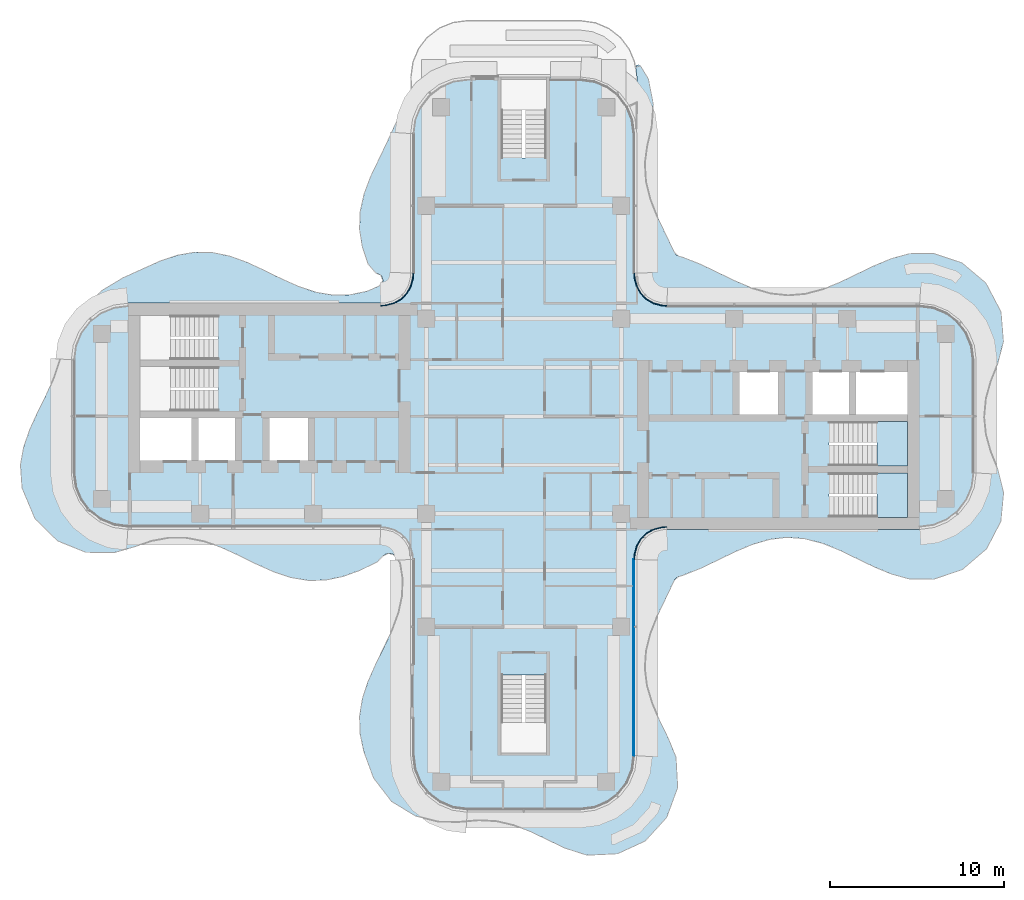
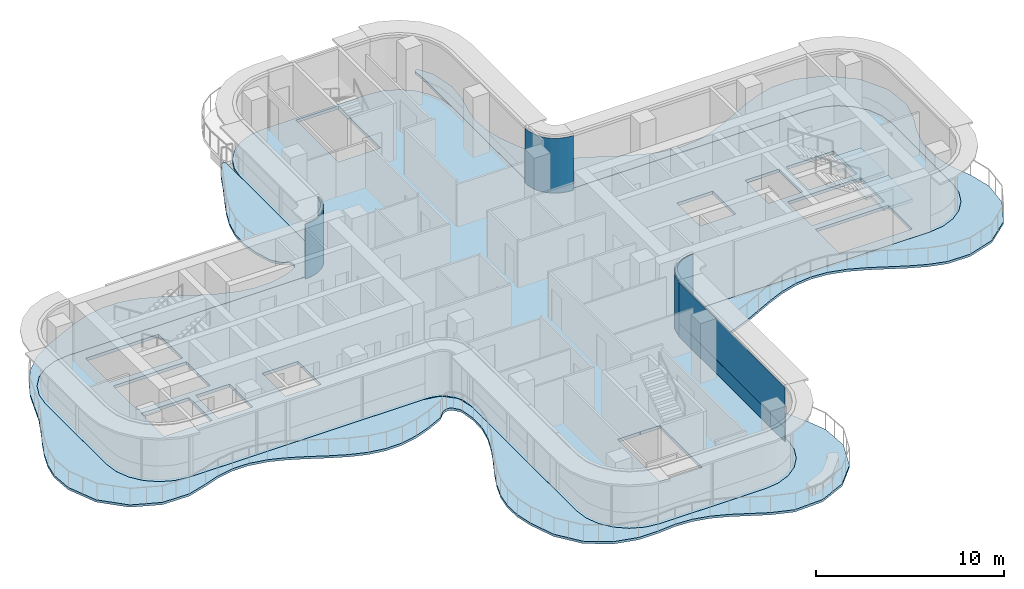
# One storey, part 9 of 16: 5 plates, 4 slabs, 6 elements without a shape of their own.
"""IFC4 building model written with IfcOpenShell, lengths in metres."""

from ifc_helpers import new_model, si_unit, direction, frame, origin, place, context, subcontext, project, spatial, polyline, outline, extrude, source, transform, mapped, material, layer, layer_set, type_object, element, aggregate, save


model = new_model("IFC4")

# Units and contexts
model_context = context("Model", 3, precision=1e-05, world=origin(), true_north=direction((0.0, 1.0)))
body_context = subcontext(model_context, "Body", "Model", "MODEL_VIEW")
ifc_project = project(units=[si_unit("LENGTHUNIT", "METRE"), si_unit("AREAUNIT", "SQUARE_METRE"), si_unit("VOLUMEUNIT", "CUBIC_METRE"), si_unit("PLANEANGLEUNIT", "RADIAN"), si_unit("MASSUNIT", "GRAM", prefix="KILO")], contexts=[model_context])

# Site, building, storey
site_placement = place(None, origin())
site = spatial("IfcSite", under=ifc_project, at=site_placement, CompositionType="ELEMENT")
building_placement = place(site_placement, origin())
building = spatial("IfcBuilding", under=site, at=building_placement, Name="Trellis Farm Tower", CompositionType="ELEMENT")
storey_placement = place(building_placement, frame((0.0, 0.0, 302.800048828125)))
storey = spatial("IfcBuildingStorey", under=building, at=storey_placement, Name="L68", CompositionType="ELEMENT", Elevation=302.800048828125)

# Slabs
ifc_material_1 = material(Name="Concrete C40/50", Category="concrete")
ifc_layer_1 = layer(ifc_material_1, 0.14990234375)
ifc_layer_set_1 = layer_set([ifc_layer_1], Name="Balcony slab 150")
slab_type_1 = type_object("IfcSlabType", Name="Balcony slab 150", PredefinedType="FLOOR", material=ifc_layer_set_1)
slab_1_placement = place(storey_placement, frame((0.0, 0.0, -0.150146484375)))
element("IfcSlab", 1, at=slab_1_placement, inside=storey, type_object=slab_type_1, Name="Balcony slab", PredefinedType="FLOOR", context=body_context, shape_type="SweptSolid", body=[
    extrude(outline(polyline([(-20.40869140625, -6.977294921875), (-21.38525390625, -7.158203125), (-21.395751953125, -7.1611328125), (-22.3623046875, -7.492919921875), (-22.368896484375, -7.494873046875), (-23.530517578125, -7.8330078125), (-23.57470703125, -7.839111328125), (-25.14111328125, -7.814208984375), (-25.1689453125, -7.81103515625), (-25.20361328125, -7.803955078125), (-25.229736328125, -7.7958984375), (-26.764404296875, -7.17138671875), (-26.790771484375, -7.1572265625), (-26.822998046875, -7.135986328125), (-26.845947265625, -7.1171875), (-28.08935546875, -5.8759765625), (-28.108154296875, -5.85302734375), (-28.129150390625, -5.82177734375), (-28.143310546875, -5.795166015625), (-28.828369140625, -4.11962890625), (-28.839111328125, -4.07275390625), (-28.923095703125, -2.79248046875), (-28.9208984375, -2.755615234375), (-28.741455078125, -1.77978515625), (-28.735595703125, -1.7578125), (-28.3876953125, -0.7587890625), (-28.38232421875, -0.74609375), (-27.93408203125, 0.23681640625), (-27.93212890625, 0.240966796875), (-27.44189453125, 1.23681640625), (-27.44091796875, 1.239013671875), (-27.001953125, 2.20849609375), (-26.9990234375, 2.2158203125), (-26.296142578125, 4.329345703125), (-26.288330078125, 4.348388671875), (-25.78125, 5.376708984375), (-25.7705078125, 5.395263671875), (-25.1240234375, 6.339111328125), (-25.106689453125, 6.35986328125), (-24.267578125, 7.20703125), (-24.238525390625, 7.22998046875), (-23.040771484375, 7.953857421875), (-23.02490234375, 7.962158203125), (-20.89111328125, 8.92529296875), (-20.877197265625, 8.9306640625), (-19.919677734375, 9.25341796875), (-19.897705078125, 9.259033203125), (-18.930419921875, 9.428466796875), (-18.902099609375, 9.4306640625), (-17.902099609375, 9.4130859375), (-17.874267578125, 9.409912109375), (-16.90625, 9.209228515625), (-16.8857421875, 9.203369140625), (-15.91064453125, 8.849853515625), (-15.89892578125, 8.844970703125), (-14.9150390625, 8.389892578125), (-14.911865234375, 8.38818359375), (-13.914306640625, 7.89794921875), (-13.911865234375, 7.896728515625), (-12.9423828125, 7.46484375), (-12.935302734375, 7.462158203125), (-11.905517578125, 7.124267578125), (-11.894287109375, 7.12158203125), (-10.970458984375, 6.969482421875), (-10.956787109375, 6.968505859375), (-9.9736328125, 6.98828125), (-9.9599609375, 6.98974609375), (-8.98388671875, 7.1923828125), (-8.96875, 7.197265625), (-8.305908203125, 7.4921875), (-8.2890625, 7.502685546875), (-8.1748046875, 7.595947265625), (-8.15283203125, 7.626220703125), (-8.101318359375, 7.7568359375), (-8.096435546875, 7.78955078125), (-8.1083984375, 7.945556640625), (-8.1201171875, 7.980224609375), (-8.188720703125, 8.0849609375), (-8.21337890625, 8.1083984375), (-8.33056640625, 8.17626953125), (-8.346435546875, 8.18310546875), (-8.46044921875, 8.217529296875), (-8.5009765625, 8.23681640625), (-8.547119140625, 8.267578125), (-8.580078125, 8.2978515625), (-8.932861328125, 8.734619140625), (-8.947998046875, 8.75732421875), (-8.965087890625, 8.788818359375), (-8.975830078125, 8.81396484375), (-9.276611328125, 9.741943359375), (-9.281982421875, 9.764892578125), (-9.435302734375, 10.731689453125), (-9.43701171875, 10.760498046875), (-9.402099609375, 11.760498046875), (-9.3984375, 11.787841796875), (-9.18212890625, 12.756103515625), (-9.17626953125, 12.77587890625), (-8.81103515625, 13.751708984375), (-8.806396484375, 13.7626953125), (-8.345458984375, 14.747314453125), (-8.34423828125, 14.749755859375), (-7.85498046875, 15.746826171875), (-7.854248046875, 15.748779296875), (-7.356689453125, 16.838134765625), (-7.3486328125, 16.853515625), (-6.7783203125, 17.794677734375), (-6.674072265625, 17.864990234375), (-6.552734375, 17.8310546875), (-6.5, 17.716796875), (-6.5, 16.254638671875), (-6.50048828125, 16.25), (-6.50048828125, 8.7666015625), (-6.56005859375, 7.838134765625), (-6.56640625, 7.80419921875), (-6.5791015625, 7.76171875), (-6.593017578125, 7.72998046875), (-7.0166015625, 7.00244140625), (-7.045166015625, 6.967041015625), (-7.0869140625, 6.928955078125), (-7.124755859375, 6.90380859375), (-7.896484375, 6.545654296875), (-7.92578125, 6.53564453125), (-7.96435546875, 6.526611328125), (-7.994873046875, 6.522705078125), (-8.91552734375, 6.50048828125), (-22.75, 6.50048828125), (-23.59130859375, 6.389892578125), (-24.375244140625, 6.065185546875), (-25.048583984375, 5.548583984375), (-25.565185546875, 4.875244140625), (-25.889892578125, 4.09130859375), (-26.00048828125, 3.25), (-26.00048828125, -3.25), (-25.889892578125, -4.09130859375), (-25.565185546875, -4.875244140625), (-25.048583984375, -5.548583984375), (-24.375244140625, -6.065185546875), (-23.59130859375, -6.389892578125), (-22.75, -6.50048828125), (-8.43701171875, -6.50048828125), (-8.41796875, -6.502197265625), (-7.5166015625, -6.66064453125), (-7.47509765625, -6.67431640625), (-7.42724609375, -6.698486328125), (-7.391845703125, -6.72314453125), (-6.78564453125, -7.29248046875), (-6.7587890625, -7.326416015625), (-6.731689453125, -7.37255859375), (-6.71533203125, -7.413330078125), (-6.504150390625, -8.30078125), (-6.50048828125, -8.33056640625), (-6.50048828125, -19.5), (-6.389892578125, -20.34130859375), (-6.065185546875, -21.125244140625), (-5.548583984375, -21.798583984375), (-4.875244140625, -22.315185546875), (-4.09130859375, -22.639892578125), (-3.25, -22.75048828125), (3.25, -22.75048828125), (4.09130859375, -22.639892578125), (4.875244140625, -22.315185546875), (5.548583984375, -21.798583984375), (6.065185546875, -21.125244140625), (6.389892578125, -20.34130859375), (6.50048828125, -19.5), (6.50048828125, -14.7783203125), (6.50146484375, -8.531982421875), (6.502685546875, -8.51318359375), (6.6162109375, -7.62060546875), (6.627197265625, -7.580810546875), (6.6474609375, -7.532958984375), (6.6689453125, -7.49755859375), (7.19287109375, -6.849853515625), (7.2255859375, -6.81982421875), (7.270751953125, -6.789306640625), (7.31201171875, -6.769775390625), (8.18359375, -6.509521484375), (8.2265625, -6.50341796875), (19.6259765625, -6.50048828125), (22.75, -6.50048828125), (23.59130859375, -6.389892578125), (24.375244140625, -6.065185546875), (25.048583984375, -5.548583984375), (25.565185546875, -4.875244140625), (25.889892578125, -4.09130859375), (26.00048828125, -3.25), (26.00048828125, 3.25), (25.889892578125, 4.09130859375), (25.565185546875, 4.875244140625), (25.048583984375, 5.548583984375), (24.375244140625, 6.065185546875), (23.59130859375, 6.389892578125), (22.75, 6.50048828125), (19.626220703125, 6.50048828125), (8.2265625, 6.50341796875), (8.18359375, 6.509521484375), (7.31201171875, 6.769775390625), (7.270751953125, 6.789306640625), (7.2255859375, 6.81982421875), (7.19287109375, 6.849853515625), (6.6689453125, 7.49755859375), (6.6474609375, 7.532958984375), (6.627197265625, 7.580810546875), (6.6162109375, 7.62060546875), (6.502685546875, 8.51318359375), (6.50146484375, 8.531982421875), (6.50048828125, 12.0361328125), (6.50048828125, 16.25), (6.5, 16.254638671875), (6.5, 19.4951171875), (6.49951171875, 19.5048828125), (6.428466796875, 20.043212890625), (6.47021484375, 20.167724609375), (6.59375, 20.2119140625), (6.704833984375, 20.1416015625), (7.135986328125, 19.4443359375), (7.14794921875, 19.42041015625), (7.16064453125, 19.388671875), (7.168212890625, 19.3623046875), (7.44384765625, 17.960205078125), (7.4462890625, 17.919921875), (7.348388671875, 16.633056640625), (7.344970703125, 16.60986328125), (7.0888671875, 15.5283203125), (7.08740234375, 15.520751953125), (6.95849609375, 14.55126953125), (6.9580078125, 14.536865234375), (7.021728515625, 13.490966796875), (7.023681640625, 13.477294921875), (7.265869140625, 12.50146484375), (7.268798828125, 12.4921875), (7.64208984375, 11.536376953125), (7.644287109375, 11.53125), (8.6533203125, 9.421142578125), (8.659912109375, 9.409912109375), (8.73486328125, 9.305419921875), (8.758544921875, 9.28369140625), (8.869384765625, 9.221435546875), (8.884033203125, 9.215087890625), (9.17578125, 9.12548828125), (9.18701171875, 9.12158203125), (10.17138671875, 8.731689453125), (10.181396484375, 8.727294921875), (12.153076171875, 7.7763671875), (12.156494140625, 7.77490234375), (13.13671875, 7.3623046875), (13.14501953125, 7.359130859375), (14.178955078125, 7.062744140625), (14.19140625, 7.060302734375), (15.178466796875, 6.9541015625), (15.19287109375, 6.9541015625), (16.17138671875, 7.036865234375), (16.18408203125, 7.0390625), (17.160400390625, 7.2958984375), (17.169189453125, 7.298828125), (18.1484375, 7.692138671875), (18.153076171875, 7.6943359375), (20.12451171875, 8.645751953125), (20.132080078125, 8.649169921875), (21.13037109375, 9.06298828125), (21.147705078125, 9.069091796875), (22.128662109375, 9.34033203125), (22.166259765625, 9.345703125), (23.506103515625, 9.36669921875), (23.554931640625, 9.359130859375), (25.119873046875, 8.85009765625), (25.146484375, 8.83837890625), (25.17919921875, 8.8203125), (25.202880859375, 8.8037109375), (26.55029296875, 7.665771484375), (26.57080078125, 7.64501953125), (26.59423828125, 7.615478515625), (26.610107421875, 7.5908203125), (27.402587890625, 6.069091796875), (27.413330078125, 6.0419921875), (27.423828125, 6.006103515625), (27.429443359375, 5.9765625), (27.5673828125, 4.334716796875), (27.56298828125, 4.2841796875), (27.23486328125, 3.01953125), (27.228515625, 3.0009765625), (26.82958984375, 2.015380859375), (26.82666015625, 2.00732421875), (26.555908203125, 1.031494140625), (26.5537109375, 1.018798828125), (26.4541015625, -0.0263671875), (26.4541015625, -0.041015625), (26.5537109375, -1.018798828125), (26.555908203125, -1.031494140625), (26.82666015625, -2.00732421875), (26.82958984375, -2.015380859375), (27.228515625, -3.00048828125), (27.23486328125, -3.02001953125), (27.568115234375, -4.343505859375), (27.572021484375, -4.393798828125), (27.429443359375, -5.97705078125), (27.424072265625, -6.005615234375), (27.413330078125, -6.0419921875), (27.402587890625, -6.069091796875), (26.610107421875, -7.5908203125), (26.59423828125, -7.615478515625), (26.57080078125, -7.64501953125), (26.55029296875, -7.665771484375), (25.202880859375, -8.8037109375), (25.17919921875, -8.8203125), (25.146484375, -8.83837890625), (25.119873046875, -8.85009765625), (23.554931640625, -9.359130859375), (23.506103515625, -9.36669921875), (22.16650390625, -9.345703125), (22.128662109375, -9.34033203125), (21.128173828125, -9.062255859375), (21.110595703125, -9.056396484375), (20.132080078125, -8.649169921875), (20.12451171875, -8.645751953125), (18.153076171875, -7.6943359375), (18.1484375, -7.692138671875), (17.16943359375, -7.298828125), (17.16015625, -7.2958984375), (16.123779296875, -7.029052734375), (16.110595703125, -7.02685546875), (15.12548828125, -6.955078125), (15.111083984375, -6.95556640625), (14.133544921875, -7.07177734375), (14.121337890625, -7.07421875), (13.14501953125, -7.359130859375), (13.136962890625, -7.362060546875), (12.156494140625, -7.77490234375), (12.153076171875, -7.7763671875), (10.181396484375, -8.727294921875), (10.17138671875, -8.731689453125), (9.18701171875, -9.12158203125), (9.17578125, -9.12548828125), (8.884033203125, -9.215087890625), (8.869384765625, -9.221435546875), (8.758544921875, -9.28369140625), (8.73486328125, -9.305419921875), (8.659912109375, -9.409912109375), (8.6533203125, -9.421142578125), (7.654296875, -11.50830078125), (7.652099609375, -11.51318359375), (7.268798828125, -12.4921875), (7.265869140625, -12.50146484375), (7.023681640625, -13.4775390625), (7.021728515625, -13.490478515625), (6.955810546875, -14.4697265625), (6.956298828125, -14.484130859375), (7.0791015625, -15.471923828125), (7.081787109375, -15.484130859375), (7.379150390625, -16.480224609375), (7.382080078125, -16.48828125), (7.8095703125, -17.489501953125), (7.811279296875, -17.492919921875), (8.30078125, -18.49609375), (8.304931640625, -18.505126953125), (8.747314453125, -19.585205078125), (8.758056640625, -19.633544921875), (8.85205078125, -21.260986328125), (8.8505859375, -21.292236328125), (8.8447265625, -21.33056640625), (8.837158203125, -21.360107421875), (8.21142578125, -23.05419921875), (8.198486328125, -23.08056640625), (8.1787109375, -23.113037109375), (8.1611328125, -23.136474609375), (7.029541015625, -24.36279296875), (7.007568359375, -24.38232421875), (6.9765625, -24.40478515625), (6.951171875, -24.419921875), (5.416748046875, -25.125), (5.389404296875, -25.134521484375), (5.352783203125, -25.143310546875), (5.323974609375, -25.1474609375), (3.640380859375, -25.218994140625), (3.61328125, -25.2177734375), (3.578369140625, -25.212890625), (3.551513671875, -25.20654296875), (2.370361328125, -24.812744140625), (2.35302734375, -24.8056640625), (0.3701171875, -23.854248046875), (0.364013671875, -23.851806640625), (-0.589111328125, -23.489990234375), (-0.598876953125, -23.487060546875), (-1.574951171875, -23.260009765625), (-1.588134765625, -23.258056640625), (-2.580322265625, -23.20849609375), (-2.59033203125, -23.208740234375), (-3.68212890625, -23.302490234375), (-3.69580078125, -23.302978515625), (-4.868896484375, -23.297607421875), (-4.904052734375, -23.293212890625), (-6.21484375, -22.969482421875), (-6.257080078125, -22.951904296875), (-7.572021484375, -22.147216796875), (-7.594482421875, -22.130126953125), (-7.62060546875, -22.1064453125), (-7.63916015625, -22.086181640625), (-8.628662109375, -20.78662109375), (-8.650390625, -20.7470703125), (-9.182861328125, -19.285400390625), (-9.188720703125, -19.26513671875), (-9.402587890625, -18.25634765625), (-9.406005859375, -18.22998046875), (-9.43701171875, -17.26025390625), (-9.435302734375, -17.23193359375), (-9.281982421875, -16.264892578125), (-9.276611328125, -16.241943359375), (-8.966796875, -15.285888671875), (-8.96142578125, -15.271728515625), (-8.5244140625, -14.2802734375), (-8.521728515625, -14.2744140625), (-8.0341796875, -13.281982421875), (-8.033447265625, -13.280517578125), (-7.575927734375, -12.2978515625), (-7.573486328125, -12.2919921875), (-7.19873046875, -11.26611328125), (-7.19580078125, -11.256103515625), (-6.997314453125, -10.327392578125), (-6.995849609375, -10.314208984375), (-6.964111328125, -9.334228515625), (-6.96484375, -9.31982421875), (-7.108642578125, -8.422607421875), (-7.114990234375, -8.40234375), (-7.18701171875, -8.24951171875), (-7.1982421875, -8.232421875), (-7.410888671875, -7.98779296875), (-7.42724609375, -7.973876953125), (-7.568359375, -7.884521484375), (-7.608642578125, -7.872802734375), (-7.775634765625, -7.875244140625), (-7.797119140625, -7.878662109375), (-7.92578125, -7.9189453125), (-7.943115234375, -7.9267578125), (-8.07666015625, -8.010009765625), (-8.09130859375, -8.022216796875), (-8.407470703125, -8.356201171875), (-8.42822265625, -8.37451171875), (-8.457275390625, -8.3955078125), (-8.481201171875, -8.40966796875), (-9.412841796875, -8.8505859375), (-9.426025390625, -8.85595703125), (-10.3857421875, -9.203369140625), (-10.40625, -9.208984375), (-11.37451171875, -9.409912109375), (-11.40185546875, -9.4130859375), (-12.369384765625, -9.43310546875), (-12.3974609375, -9.430908203125), (-13.371337890625, -9.265625), (-13.393798828125, -9.260009765625), (-14.377197265625, -8.9306640625), (-14.39111328125, -8.92529296875), (-15.38330078125, -8.48046875), (-15.38818359375, -8.478271484375), (-16.379638671875, -7.990478515625), (-16.38134765625, -7.989501953125), (-17.36376953125, -7.5380859375), (-17.369873046875, -7.53564453125), (-18.347412109375, -7.186279296875), (-18.3583984375, -7.183349609375), (-19.398681640625, -6.97998046875), (-19.4130859375, -6.978515625), (-20.394775390625, -6.97607421875), (-20.40869140625, -6.977294921875)])), origin(), (0.0, 0.0, 1.0), 0.150146484375),
])
ifc_layer_2 = layer(ifc_material_1, 0.199951171875)
ifc_layer_set_2 = layer_set([ifc_layer_2], Name="Composite deck floor slab 200")
slab_type_2 = type_object("IfcSlabType", Name="Composite deck floor slab 200", PredefinedType="FLOOR", material=ifc_layer_set_2)
shared_shape_1 = source(origin(), body_context, "Body", "SweptSolid", [
    extrude(outline(polyline([(-23.59130859375, -6.389404296875), (-24.375, -6.064697265625), (-25.048095703125, -5.548095703125), (-25.564697265625, -4.875), (-25.889404296875, -4.09130859375), (-26.0, -3.25), (-26.0, 3.25), (-25.889404296875, 4.09130859375), (-25.564697265625, 4.875), (-25.048095703125, 5.548095703125), (-24.375, 6.064697265625), (-23.59130859375, 6.389404296875), (-22.75, 6.5), (-8.2314453125, 6.5), (-8.01953125, 6.513916015625), (-7.91552734375, 6.527587890625), (-7.508544921875, 6.63671875), (-7.144287109375, 6.846923828125), (-6.846923828125, 7.144287109375), (-6.63671875, 7.508544921875), (-6.527587890625, 7.91552734375), (-6.513916015625, 8.01953125), (-6.5, 8.2314453125), (-6.5, 16.25), (-6.389404296875, 17.09130859375), (-6.064697265625, 17.875), (-5.548095703125, 18.548095703125), (-4.875, 19.064697265625), (-4.09130859375, 19.389404296875), (-3.25, 19.5), (3.25, 19.5), (4.09130859375, 19.389404296875), (4.875, 19.064697265625), (5.548095703125, 18.548095703125), (6.064697265625, 17.875), (6.389404296875, 17.09130859375), (6.5, 16.25), (6.5, 8.2314453125), (6.513916015625, 8.01953125), (6.527587890625, 7.91552734375), (6.63671875, 7.508544921875), (6.846923828125, 7.144287109375), (7.144287109375, 6.846923828125), (7.508544921875, 6.63671875), (7.91552734375, 6.527587890625), (8.01953125, 6.513916015625), (8.2314453125, 6.5), (22.75, 6.5), (23.59130859375, 6.389404296875), (24.375, 6.064697265625), (25.048095703125, 5.548095703125), (25.564697265625, 4.875), (25.889404296875, 4.09130859375), (26.0, 3.25), (26.0, -3.25), (25.889404296875, -4.09130859375), (25.564697265625, -4.875), (25.048095703125, -5.548095703125), (24.375, -6.064697265625), (23.59130859375, -6.389404296875), (22.75, -6.5), (8.2314453125, -6.5), (8.01953125, -6.513916015625), (7.91552734375, -6.527587890625), (7.508544921875, -6.63671875), (7.144287109375, -6.846923828125), (6.846923828125, -7.144287109375), (6.63671875, -7.508544921875), (6.527587890625, -7.91552734375), (6.513916015625, -8.01953125), (6.5, -8.2314453125), (6.5, -19.5), (6.389404296875, -20.34130859375), (6.064697265625, -21.125), (5.548095703125, -21.798095703125), (4.875, -22.314697265625), (4.09130859375, -22.639404296875), (3.25, -22.75), (-3.25, -22.75), (-4.09130859375, -22.639404296875), (-4.875, -22.314697265625), (-5.548095703125, -21.798095703125), (-6.064697265625, -21.125), (-6.389404296875, -20.34130859375), (-6.5, -19.5), (-6.5, -8.2314453125), (-6.513916015625, -8.01953125), (-6.527587890625, -7.91552734375), (-6.63671875, -7.508544921875), (-6.846923828125, -7.144287109375), (-7.144287109375, -6.846923828125), (-7.508544921875, -6.63671875), (-7.91552734375, -6.527587890625), (-8.01953125, -6.513916015625), (-8.2314453125, -6.5), (-22.75, -6.5), (-23.59130859375, -6.389404296875)]), holes=[polyline([(-22.050048828125, -2.550048828125), (-19.10009765625, -2.550048828125), (-19.10009765625, -0.10009765625), (-22.050048828125, -0.10009765625), (-22.050048828125, -2.550048828125)]), polyline([(-18.699951171875, -0.10009765625), (-18.699951171875, -2.550048828125), (-16.60009765625, -2.550048828125), (-16.60009765625, -0.10009765625), (-18.699951171875, -0.10009765625)]), polyline([(-14.60009765625, -0.10009765625), (-14.60009765625, -2.550048828125), (-12.39990234375, -2.550048828125), (-12.39990234375, -0.10009765625), (-14.60009765625, -0.10009765625)]), polyline([(-17.56201171875, 2.85009765625), (-22.050048828125, 2.85009765625), (-22.050048828125, 0.300048828125), (-17.56005859375, 0.300048828125), (-17.56005859375, 1.5), (-17.550048828125, 1.5), (-17.550048828125, 1.64990234375), (-17.56201171875, 1.64990234375), (-17.56201171875, 2.85009765625)]), polyline([(-17.56201171875, 4.60009765625), (-17.56201171875, 5.800048828125), (-22.050048828125, 5.800048828125), (-22.050048828125, 3.25), (-17.56005859375, 3.25), (-17.56005859375, 4.449951171875), (-17.550048828125, 4.449951171875), (-17.550048828125, 4.60009765625), (-17.56201171875, 4.60009765625)]), polyline([(0.10009765625, 14.862060546875), (1.300048828125, 14.862060546875), (1.300048828125, 19.35009765625), (-1.300048828125, 19.35009765625), (-1.300048828125, 14.860107421875), (-0.10009765625, 14.860107421875), (-0.10009765625, 14.85009765625), (0.10009765625, 14.85009765625), (0.10009765625, 14.862060546875)]), polyline([(-1.300048828125, -14.862060546875), (-1.300048828125, -19.35009765625), (1.300048828125, -19.35009765625), (1.300048828125, -14.860107421875), (0.10009765625, -14.860107421875), (0.10009765625, -14.85009765625), (-0.10009765625, -14.85009765625), (-0.10009765625, -14.862060546875), (-1.300048828125, -14.862060546875)]), polyline([(17.56201171875, -4.60009765625), (17.56201171875, -5.800048828125), (22.050048828125, -5.800048828125), (22.050048828125, -3.25), (17.56005859375, -3.25), (17.56005859375, -4.449951171875), (17.550048828125, -4.449951171875), (17.550048828125, -4.60009765625), (17.56201171875, -4.60009765625)]), polyline([(17.56201171875, -1.64990234375), (17.56201171875, -2.85009765625), (22.050048828125, -2.85009765625), (22.050048828125, -0.300048828125), (17.56005859375, -0.300048828125), (17.56005859375, -1.5), (17.550048828125, -1.5), (17.550048828125, -1.64990234375), (17.56201171875, -1.64990234375)]), polyline([(14.60009765625, 2.550048828125), (12.39990234375, 2.550048828125), (12.39990234375, 0.10009765625), (14.60009765625, 0.10009765625), (14.60009765625, 2.550048828125)]), polyline([(18.699951171875, 0.10009765625), (18.699951171875, 2.550048828125), (16.60009765625, 2.550048828125), (16.60009765625, 0.10009765625), (18.699951171875, 0.10009765625)]), polyline([(22.050048828125, 0.10009765625), (22.050048828125, 2.550048828125), (19.10009765625, 2.550048828125), (19.10009765625, 0.10009765625), (22.050048828125, 0.10009765625)])]), origin(), (0.0, 0.0, 1.0), 0.199951171875),
])
slab_2_placement = place(storey_placement, frame((0.0, 0.0, -0.199951171875)))
element("IfcSlab", 2, at=slab_2_placement, inside=storey, type_object=slab_type_2, Name="Floor slab", PredefinedType="FLOOR", context=body_context, shape_type="MappedRepresentation", body=[
    mapped(shared_shape_1, transform((0.0, 0.0, 0.0))),
])

# Stair, slab
ifc_material_2 = material(Name="Concrete C50/60", Category="concrete")
stair_type = type_object("IfcStairType", Name="CORE EXIT STAIR 22 RISERS 177 MM", PredefinedType="HALF_TURN_STAIR", material=ifc_material_2)
placement_1 = place(storey_placement, origin())
stair_1 = element("IfcStair", 3, at=placement_1, inside=storey, type_object=stair_type, Name="Exit stair E1", PredefinedType="HALF_TURN_STAIR")
ifc_layer_3 = layer(ifc_material_2, 0.18994140625)
ifc_layer_set_3 = layer_set([ifc_layer_3], Name="CORE STAIR LANDING 190 CONCRETE C50/60")
slab_type_3 = type_object("IfcSlabType", Name="CORE STAIR LANDING 190 CONCRETE C50/60", PredefinedType="LANDING", material=ifc_layer_set_3)
shared_shape_2 = source(origin(), body_context, "Body", "SweptSolid", [
    extrude(outline(polyline([(20.2900390625, -5.800048828125), (20.2900390625, -4.60009765625), (20.300048828125, -4.60009765625), (20.300048828125, -4.449951171875), (19.971923828125, -4.449951171875), (19.971923828125, -3.25), (20.300048828125, -3.25), (22.050048828125, -3.25), (22.050048828125, -5.800048828125), (20.300048828125, -5.800048828125), (20.2900390625, -5.800048828125)])), origin(), (0.0, 0.0, 1.0), 0.18994140625),
])
placement_2 = place(storey_placement, frame((0.0, 0.0, 1.760009765625)))
slab_3 = element("IfcSlab", 4, at=placement_2, type_object=slab_type_3, Name="STE1 landing 1", PredefinedType="LANDING", context=body_context, shape_type="MappedRepresentation", body=[
    mapped(shared_shape_2, transform((0.0, 0.0, 0.0))),
])
aggregate(stair_1, [slab_3])

stair_2 = element("IfcStair", 5, at=placement_1, inside=storey, type_object=stair_type, Name="Exit stair E2", PredefinedType="HALF_TURN_STAIR")
shared_shape_3 = source(origin(), body_context, "Body", "SweptSolid", [
    extrude(outline(polyline([(20.2900390625, -2.85009765625), (20.2900390625, -1.64990234375), (20.300048828125, -1.64990234375), (20.300048828125, -1.5), (19.971923828125, -1.5), (19.971923828125, -0.300048828125), (20.300048828125, -0.300048828125), (22.050048828125, -0.300048828125), (22.050048828125, -2.85009765625), (20.300048828125, -2.85009765625), (20.2900390625, -2.85009765625)])), origin(), (0.0, 0.0, 1.0), 0.18994140625),
])
slab_4 = element("IfcSlab", 6, at=placement_2, type_object=slab_type_3, Name="STE2 landing 1", PredefinedType="LANDING", context=body_context, shape_type="MappedRepresentation", body=[
    mapped(shared_shape_3, transform((0.0, 0.0, 0.0))),
])
aggregate(stair_2, [slab_4])

# Curtain wall, plate
ifc_material_3 = material(Name="Aluminium and glass curtain wall", Category="aluminium")
ifc_layer_4 = layer(ifc_material_3, 0.166015625)
ifc_layer_set_4 = layer_set([ifc_layer_4], Name="WINTER GARDEN CURTAIN WALL CW3")
curtain_wall_type_1 = type_object("IfcCurtainWallType", Name="WINTER GARDEN CURTAIN WALL CW3", PredefinedType="NOTDEFINED", material=ifc_layer_set_4)
curtain_wall_1 = element("IfcCurtainWall", 7, at=placement_1, inside=storey, type_object=curtain_wall_type_1, Name="CW3 002", PredefinedType="NOTDEFINED")
ifc_material_4 = material(Name="Clear insulated glass", Category="glass")
ifc_layer_5 = layer(ifc_material_4, 0.0458984375)
ifc_layer_set_5 = layer_set([ifc_layer_5], Name="CW3 GLASS PANEL 46")
plate_type_1 = type_object("IfcPlateType", Name="CW3 GLASS PANEL 46", PredefinedType="CURTAIN_PANEL", material=ifc_layer_set_5)
shared_shape_4 = source(origin(), body_context, "Body", "SweptSolid", [
    extrude(outline(polyline([(6.3798828125, -8.2275390625), (6.394287109375, -8.0078125), (6.40966796875, -7.89208984375), (6.52490234375, -7.462158203125), (6.7509765625, -7.070556640625), (7.070556640625, -6.7509765625), (7.462158203125, -6.52490234375), (7.89208984375, -6.40966796875), (8.0078125, -6.394287109375), (8.2275390625, -6.3798828125), (8.22607421875, -6.333984375), (8.003173828125, -6.3486328125), (7.883056640625, -6.364501953125), (7.4443359375, -6.48193359375), (7.04248046875, -6.714111328125), (6.714111328125, -7.04248046875), (6.48193359375, -7.4443359375), (6.364501953125, -7.883056640625), (6.3486328125, -8.003173828125), (6.333984375, -8.22607421875), (6.3798828125, -8.2275390625)])), origin(), (0.0, 0.0, 1.0), 3.550048828125),
])
plate_1 = element("IfcPlate", 8, at=placement_1, type_object=plate_type_1, Name="PL3 002", PredefinedType="CURTAIN_PANEL", context=body_context, shape_type="MappedRepresentation", body=[
    mapped(shared_shape_4, transform((0.0, 0.0, 0.0))),
])
aggregate(curtain_wall_1, [plate_1])

curtain_wall_2 = element("IfcCurtainWall", 9, at=placement_1, inside=storey, type_object=curtain_wall_type_1, Name="CW3 003", PredefinedType="NOTDEFINED")
shared_shape_5 = source(origin(), body_context, "Body", "SweptSolid", [
    extrude(outline(polyline([(8.2275390625, 6.3798828125), (8.0078125, 6.394287109375), (7.89208984375, 6.40966796875), (7.462158203125, 6.52490234375), (7.070556640625, 6.7509765625), (6.7509765625, 7.070556640625), (6.52490234375, 7.462158203125), (6.40966796875, 7.89208984375), (6.394287109375, 8.0078125), (6.3798828125, 8.2275390625), (6.333984375, 8.22607421875), (6.3486328125, 8.003173828125), (6.364501953125, 7.883056640625), (6.48193359375, 7.4443359375), (6.714111328125, 7.04248046875), (7.04248046875, 6.714111328125), (7.4443359375, 6.48193359375), (7.883056640625, 6.364501953125), (8.003173828125, 6.3486328125), (8.22607421875, 6.333984375), (8.2275390625, 6.3798828125)])), origin(), (0.0, 0.0, 1.0), 3.550048828125),
])
plate_2 = element("IfcPlate", 10, at=placement_1, type_object=plate_type_1, Name="PL3 003", PredefinedType="CURTAIN_PANEL", context=body_context, shape_type="MappedRepresentation", body=[
    mapped(shared_shape_5, transform((0.0, 0.0, 0.0))),
])
aggregate(curtain_wall_2, [plate_2])

curtain_wall_3 = element("IfcCurtainWall", 11, at=placement_1, inside=storey, type_object=curtain_wall_type_1, Name="CW3 004", PredefinedType="NOTDEFINED")
shared_shape_6 = source(origin(), body_context, "Body", "SweptSolid", [
    extrude(outline(polyline([(-6.3798828125, 8.2275390625), (-6.394287109375, 8.0078125), (-6.40966796875, 7.89208984375), (-6.52490234375, 7.462158203125), (-6.7509765625, 7.070556640625), (-7.070556640625, 6.7509765625), (-7.462158203125, 6.52490234375), (-7.89208984375, 6.40966796875), (-8.0078125, 6.394287109375), (-8.2275390625, 6.3798828125), (-8.22607421875, 6.333984375), (-8.003173828125, 6.3486328125), (-7.883056640625, 6.364501953125), (-7.4443359375, 6.48193359375), (-7.04248046875, 6.714111328125), (-6.714111328125, 7.04248046875), (-6.48193359375, 7.4443359375), (-6.364501953125, 7.883056640625), (-6.3486328125, 8.003173828125), (-6.333984375, 8.22607421875), (-6.3798828125, 8.2275390625)])), origin(), (0.0, 0.0, 1.0), 3.550048828125),
])
plate_3 = element("IfcPlate", 12, at=placement_1, type_object=plate_type_1, Name="PL3 004", PredefinedType="CURTAIN_PANEL", context=body_context, shape_type="MappedRepresentation", body=[
    mapped(shared_shape_6, transform((0.0, 0.0, 0.0))),
])
aggregate(curtain_wall_3, [plate_3])

# Curtain wall, plates
ifc_layer_6 = layer(ifc_material_3, 0.18994140625)
ifc_layer_set_6 = layer_set([ifc_layer_6], Name="RIBBON CURTAIN WALL CW1")
curtain_wall_type_2 = type_object("IfcCurtainWallType", Name="RIBBON CURTAIN WALL CW1", PredefinedType="NOTDEFINED", material=ifc_layer_set_6)
curtain_wall_4 = element("IfcCurtainWall", 13, at=placement_1, inside=storey, type_object=curtain_wall_type_2, Name="CW1 005", PredefinedType="NOTDEFINED")
ifc_layer_7 = layer(ifc_material_4, 0.0400390625)
ifc_layer_set_7 = layer_set([ifc_layer_7], Name="CW1 GLASS PANEL 40")
plate_type_2 = type_object("IfcPlateType", Name="CW1 GLASS PANEL 40", PredefinedType="CURTAIN_PANEL", material=ifc_layer_set_7)
shared_shape_7 = source(origin(), body_context, "Body", "SweptSolid", [
    extrude(outline(polyline([(6.35009765625, -19.490234375), (6.35009765625, -8.2265625), (6.31005859375, -8.22509765625), (6.31005859375, -19.487548828125), (6.35009765625, -19.490234375)])), origin(), (0.0, 0.0, 1.0), 2.6201171875),
])
plate_4_placement = place(storey_placement, frame((0.0, 0.0, 0.89990234375)))
plate_4 = element("IfcPlate", 14, at=plate_4_placement, type_object=plate_type_2, Name="PL1 005", PredefinedType="CURTAIN_PANEL", context=body_context, shape_type="MappedRepresentation", body=[
    mapped(shared_shape_7, transform((0.0, 0.0, 0.0))),
])
ifc_material_5 = material(Name="Sandstone faced insulated panel", Category="masonry")
ifc_layer_8 = layer(ifc_material_5, 0.050048828125)
ifc_layer_set_8 = layer_set([ifc_layer_8], Name="CW1 STONE SPANDREL PANEL 50")
plate_type_3 = type_object("IfcPlateType", Name="CW1 STONE SPANDREL PANEL 50", PredefinedType="CURTAIN_PANEL", material=ifc_layer_set_8)
shared_shape_8 = source(origin(), body_context, "Body", "SweptSolid", [
    extrude(outline(polyline([(6.35009765625, -19.490234375), (6.35009765625, -8.2265625), (6.300048828125, -8.224853515625), (6.300048828125, -19.48681640625), (6.35009765625, -19.490234375)])), origin(), (0.0, 0.0, 1.0), 0.89990234375),
])
plate_5 = element("IfcPlate", 15, at=placement_1, type_object=plate_type_3, Name="PS1 005", PredefinedType="CURTAIN_PANEL", context=body_context, shape_type="MappedRepresentation", body=[
    mapped(shared_shape_8, transform((0.0, 0.0, 0.0))),
])
aggregate(curtain_wall_4, [plate_4, plate_5])

save(model, "model.ifc")
